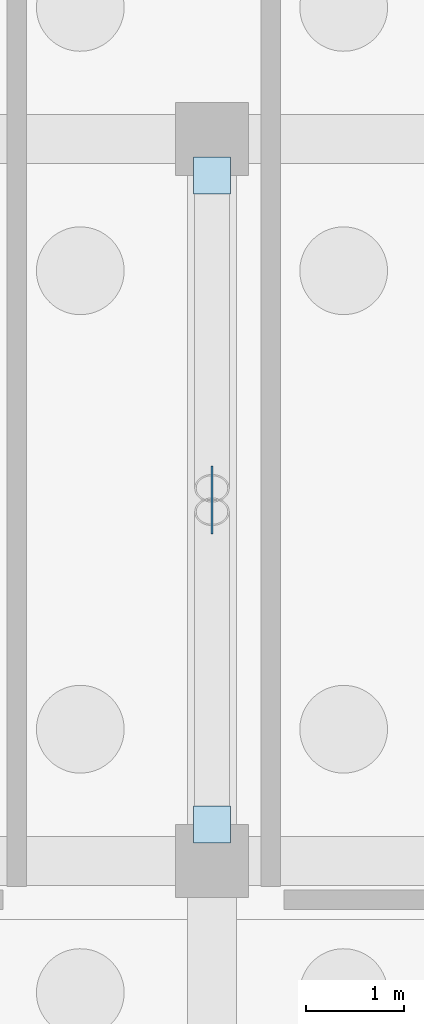
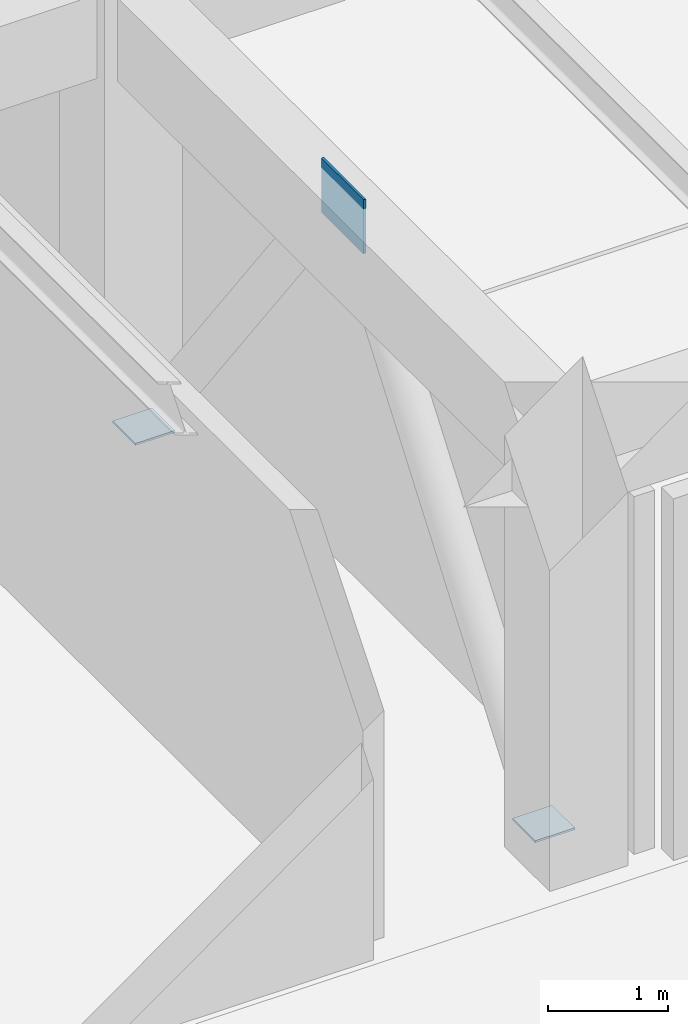
# One storey, part 17 of 40: 3 plates.
"""IFC4 building model written with IfcOpenShell, lengths in metres."""

from ifc_helpers import new_model, si_unit, direction, frame, origin, origin_2d, place, context, subcontext, project, spatial, rectangle, extrude, material, layer, layer_set, type_object, element, save


model = new_model("IFC4")

# Units and contexts
model_context = context("Model", 3, precision=1e-05, world=origin(), true_north=direction((0.0, 1.0)))
body_context = subcontext(model_context, "Body", "Model", "MODEL_VIEW")
ifc_project = project(units=[si_unit("LENGTHUNIT", "METRE"), si_unit("AREAUNIT", "SQUARE_METRE"), si_unit("VOLUMEUNIT", "CUBIC_METRE"), si_unit("PLANEANGLEUNIT", "RADIAN"), si_unit("MASSUNIT", "GRAM", prefix="KILO")], contexts=[model_context])

# Site, building, storey
site_placement = place(None, origin())
site = spatial("IfcSite", under=ifc_project, at=site_placement, CompositionType="ELEMENT")
building_placement = place(site_placement, origin())
building = spatial("IfcBuilding", under=site, at=building_placement, Name="Valkorina Park Police Headquarters", CompositionType="ELEMENT")
storey_placement = place(building_placement, frame((0.0, 0.0, -4.800048828125)))
storey = spatial("IfcBuildingStorey", under=building, at=storey_placement, Name="B01", CompositionType="ELEMENT", Elevation=-4.800048828125)

# Plates
ifc_material = material(Name="Steel S355", Category="steel")
ifc_layer_1 = layer(ifc_material, 0.02001953125)
ifc_layer_set_1 = layer_set([ifc_layer_1], Name="Steel S355")
plate_type_1 = type_object("IfcPlateType", Name="PL-ENDCAP-20", PredefinedType="USERDEFINED", material=ifc_layer_set_1)
for number, where, z_axis, x_axis, name in (
    (1, (24.800048828125, 52.175048828125, 0.090087890625), (0.0, 0.0, 1.0), (1.0, 0.0, 0.0), "Brace Base End Cap Plate 196"),
    (2, (24.800048828125, 58.824951171875, 0.090087890625), (0.0, 0.0, 1.0), (1.0, 0.0, 0.0), "Brace Base End Cap Plate 197"),
):
    element("IfcPlate", number, at=place(storey_placement, frame(where, z_axis=z_axis, x_axis=x_axis)), inside=storey, type_object=plate_type_1, Name=name, ObjectType="END CAP PLATE", PredefinedType="USERDEFINED", context=body_context, shape_type="SweptSolid", body=[
        extrude(rectangle(XDim=0.3798828125, YDim=0.3798828125, at=origin_2d()), origin(), (0.0, 0.0, 1.0), 0.02001953125),
    ])
ifc_layer_2 = layer(ifc_material, 0.02392578125)
ifc_layer_set_2 = layer_set([ifc_layer_2], Name="Steel S355")
plate_type_2 = type_object("IfcPlateType", Name="PL-GUSSET-24", PredefinedType="USERDEFINED", material=ifc_layer_set_2)
plate_placement = place(storey_placement, frame((24.800048828125, 55.5, 4.0849609375), z_axis=(0.0, 0.0, 1.0), x_axis=(1.0, 0.0, 0.0)))
element("IfcPlate", 3, at=plate_placement, inside=storey, type_object=plate_type_2, Name="Chevron Apex Gusset Plate CBF-02 198", ObjectType="GUSSET PLATE", PredefinedType="USERDEFINED", context=body_context, shape_type="SweptSolid", body=[
    extrude(rectangle(XDim=0.02392578125, YDim=0.699951171875, at=origin_2d()), origin(), (0.0, 0.0, 1.0), 0.550048828125),
])

save(model, "model.ifc")
